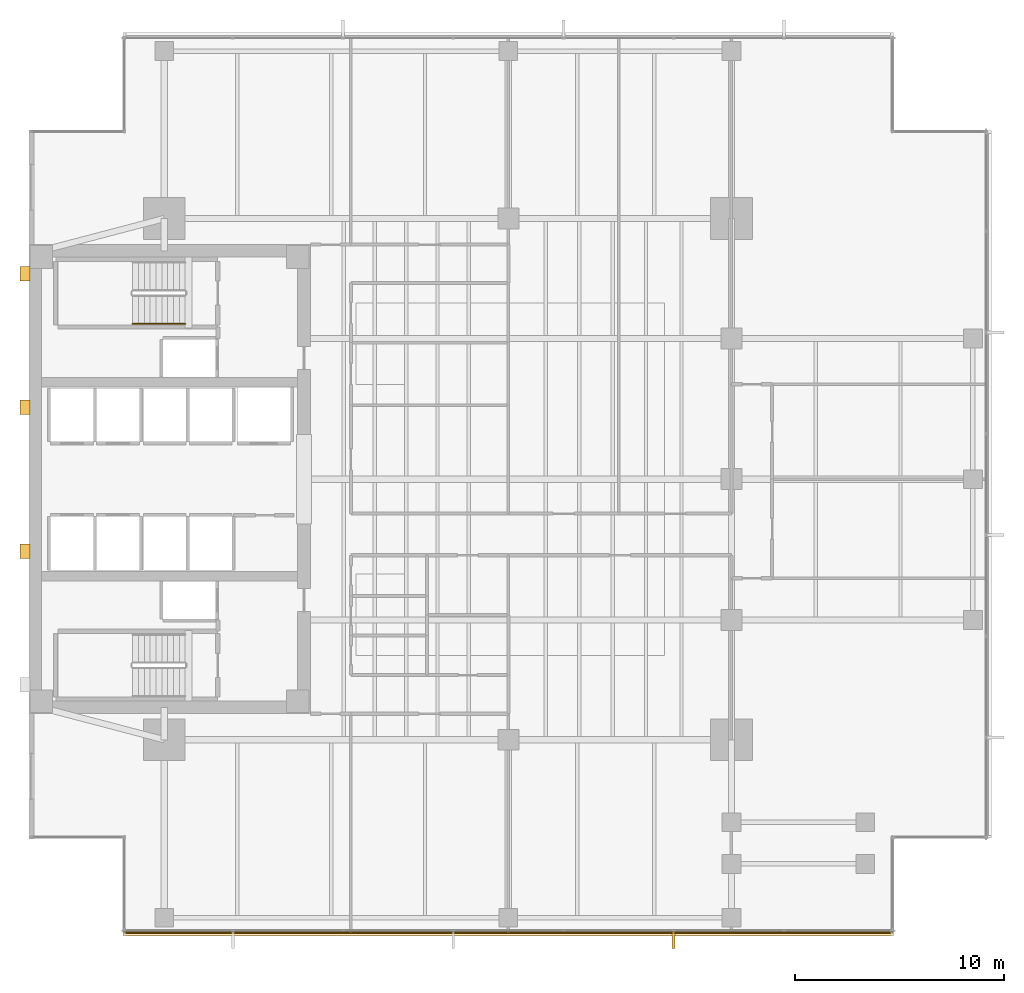
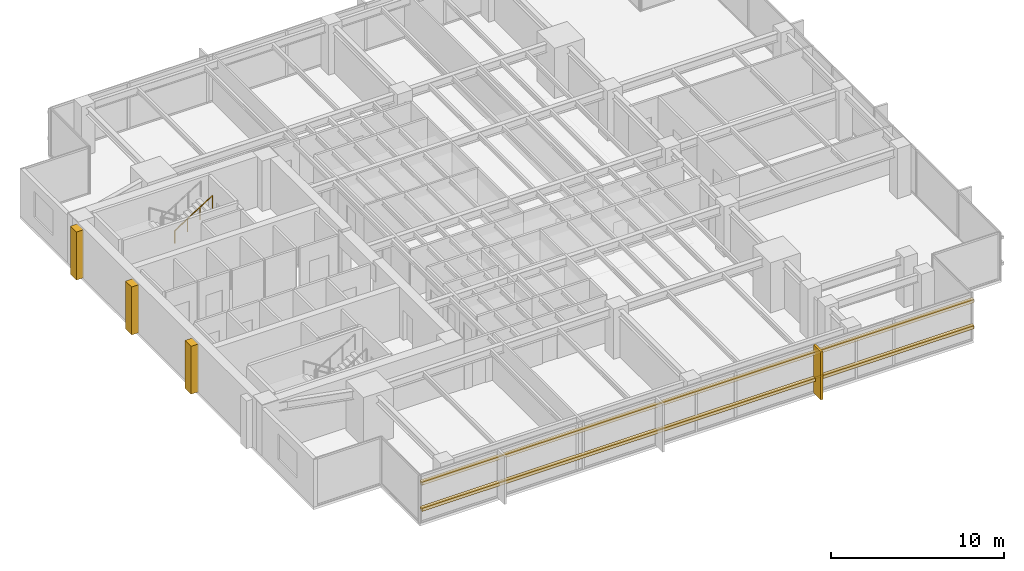
# One storey, part 13 of 15: 6 coverings, 2 shading devices, 1 railing.
"""IFC4 building model written with IfcOpenShell, lengths in metres."""

from ifc_helpers import new_model, si_unit, direction, frame, origin, origin_2d, place, context, subcontext, project, spatial, polyline, rectangle, circle, outline, extrude, material, layer, layer_set, material_profile, profile_set, type_object, element, save


model = new_model("IFC4")

# Units and contexts
model_context = context("Model", 3, precision=1e-05, world=origin(), true_north=direction((0.0, 1.0)))
body_context = subcontext(model_context, "Body", "Model", "MODEL_VIEW")
ifc_project = project(units=[si_unit("LENGTHUNIT", "METRE"), si_unit("AREAUNIT", "SQUARE_METRE"), si_unit("VOLUMEUNIT", "CUBIC_METRE"), si_unit("PLANEANGLEUNIT", "RADIAN"), si_unit("MASSUNIT", "GRAM", prefix="KILO")], contexts=[model_context])

# Site, building, storey
site_placement = place(None, origin())
site = spatial("IfcSite", under=ifc_project, at=site_placement, CompositionType="ELEMENT")
building_placement = place(site_placement, origin())
building = spatial("IfcBuilding", under=site, at=building_placement, Name="Kinhvarn Gate Tower", CompositionType="ELEMENT")
storey_placement = place(building_placement, frame((0.0, 0.0, 169.699951171875)))
storey = spatial("IfcBuildingStorey", under=building, at=storey_placement, Name="L45", CompositionType="ELEMENT", Elevation=169.699951171875)

# Coverings
ifc_material_1 = material(Name="Fired architectural terracotta", Category="masonry")
ifc_layer_1 = layer(ifc_material_1, 0.239990234375)
ifc_layer_set_1 = layer_set([ifc_layer_1], Name="Fired architectural terracotta")
covering_type_1 = type_object("IfcCoveringType", Name="COV-BAG-220", PredefinedType="CLADDING", material=ifc_layer_set_1)
covering_1_placement = place(storey_placement, frame((0.0, 0.0, 0.93994140625)))
element("IfcCovering", 1, at=covering_1_placement, inside=storey, type_object=covering_type_1, Name="Terracotta Horizontal Sunscreen Band TBG-220 (L45)", PredefinedType="CLADDING", context=body_context, shape_type="SweptSolid", body=[
    extrude(outline(polyline([(9.0400390625, 3.570068359375), (45.9599609375, 3.570068359375), (45.9599609375, 3.330078125), (9.0400390625, 3.330078125), (9.0400390625, 3.570068359375)])), origin(), (0.0, 0.0, 1.0), 0.22021484375),
])
covering_2_placement = place(storey_placement, frame((0.0, 0.0, 2.7900390625)))
element("IfcCovering", 2, at=covering_2_placement, inside=storey, type_object=covering_type_1, Name="Terracotta Horizontal Sunscreen Band TBG-220 (L45)", PredefinedType="CLADDING", context=body_context, shape_type="SweptSolid", body=[
    extrude(outline(polyline([(9.0400390625, 3.570068359375), (45.9599609375, 3.570068359375), (45.9599609375, 3.330078125), (9.0400390625, 3.330078125), (9.0400390625, 3.570068359375)])), origin(), (0.0, 0.0, 1.0), 0.219970703125),
])
ifc_layer_2 = layer(ifc_material_1, 0.139892578125)
ifc_layer_set_2 = layer_set([ifc_layer_2], Name="Fired architectural terracotta")
covering_type_2 = type_object("IfcCoveringType", Name="COV-FIN-850", PredefinedType="CLADDING", material=ifc_layer_set_2)
covering_3_placement = place(storey_placement, frame((0.0, 0.0, -0.02001953125)))
element("IfcCovering", 3, at=covering_3_placement, inside=storey, type_object=covering_type_2, Name="Vertical Terracotta Expressive Fin TFN-850 (L45)", PredefinedType="CLADDING", context=body_context, shape_type="SweptSolid", body=[
    extrude(outline(polyline([(35.358642578125, 3.580078125), (35.49853515625, 3.580078125), (35.49853515625, 2.72998046875), (35.358642578125, 2.72998046875), (35.358642578125, 3.580078125)])), origin(), (0.0, 0.0, 1.0), 3.39013671875),
])
ifc_material_2 = material(Name="Precast white architectural concrete C40/50", Category="concrete")
ifc_layer_3 = layer(ifc_material_2, 0.47998046875)
ifc_layer_set_3 = layer_set([ifc_layer_3], Name="Precast white architectural concrete C40/50")
covering_type_3 = type_object("IfcCoveringType", Name="COV-RIB-450", PredefinedType="CLADDING", material=ifc_layer_set_3)
covering_4_placement = place(storey_placement, frame((0.0, 0.0, -0.02001953125)))
element("IfcCovering", 4, at=covering_4_placement, inside=storey, type_object=covering_type_3, Name="West Core Sculptural Concrete Relief Rib CRB-450 (L45)", PredefinedType="CLADDING", context=body_context, shape_type="SweptSolid", body=[
    extrude(outline(polyline([(4.080078125, 21.449951171875), (4.56005859375, 21.449951171875), (4.56005859375, 22.14990234375), (4.080078125, 22.14990234375), (4.080078125, 21.449951171875)])), origin(), (0.0, 0.0, 1.0), 3.39013671875),
])
covering_5_placement = place(storey_placement, frame((0.0, 0.0, -0.02001953125)))
element("IfcCovering", 5, at=covering_5_placement, inside=storey, type_object=covering_type_3, Name="West Core Sculptural Concrete Relief Rib CRB-450 (L45)", PredefinedType="CLADDING", context=body_context, shape_type="SweptSolid", body=[
    extrude(outline(polyline([(4.080078125, 28.35009765625), (4.56005859375, 28.35009765625), (4.56005859375, 29.050048828125), (4.080078125, 29.050048828125), (4.080078125, 28.35009765625)])), origin(), (0.0, 0.0, 1.0), 3.39013671875),
])
covering_6_placement = place(storey_placement, frame((0.0, 0.0, -0.02001953125)))
element("IfcCovering", 6, at=covering_6_placement, inside=storey, type_object=covering_type_3, Name="West Core Sculptural Concrete Relief Rib CRB-450 (L45)", PredefinedType="CLADDING", context=body_context, shape_type="SweptSolid", body=[
    extrude(outline(polyline([(4.080078125, 34.75), (4.56005859375, 34.75), (4.56005859375, 35.449951171875), (4.080078125, 35.449951171875), (4.080078125, 34.75)])), origin(), (0.0, 0.0, 1.0), 3.39013671875),
])

# Railing
ifc_material_3 = material(Name="Steel S355", Category="steel")
railing_type = type_object("IfcRailingType", Name="RL-ST-HND", PredefinedType="HANDRAIL", material=ifc_material_3)
railing_placement = place(storey_placement, frame((9.47998046875, 32.699951171875, 1.95263671875)))
element("IfcRailing", 7, at=railing_placement, inside=storey, type_object=railing_type, Name="L45 ST2 stair handrail 2", PredefinedType="HANDRAIL", context=body_context, shape_type="SweptSolid", body=[
    extrude(circle(Radius=0.02392578125, at=origin_2d()), frame((0.0, 0.0, 0.8759765625), z_axis=(0.84460694969, 0.0, 0.535386869969), x_axis=(0.0, 1.0, 0.0)), (0.0, 0.0, 1.0), 2.983642578125),
    extrude(circle(Radius=0.02099609375, at=origin_2d()), origin(), (0.0, 0.0, 1.0), 0.851806640625),
    extrude(circle(Radius=0.02099609375, at=origin_2d()), frame((0.840087890625, 0.0, 0.532470703125)), (0.0, 0.0, 1.0), 0.851806640625),
    extrude(circle(Radius=0.02099609375, at=origin_2d()), frame((1.679931640625, 0.0, 1.06494140625)), (0.0, 0.0, 1.0), 0.851806640625),
    extrude(circle(Radius=0.02099609375, at=origin_2d()), frame((2.52001953125, 0.0, 1.597412109375)), (0.0, 0.0, 1.0), 0.851806640625),
])

# Shading devices
ifc_material_profile = material_profile(ifc_material_1, rectangle(XDim=0.050048828125, YDim=0.1201171875, at=origin_2d()), Name="TC 50x120")
ifc_profile_set = profile_set([ifc_material_profile], Name="Fired architectural terracotta")
shading_device_type = type_object("IfcShadingDeviceType", Name="SHD-BAG-140", PredefinedType="USERDEFINED", material=ifc_profile_set)
for number, where, z_axis, x_axis, name in (
    (8, (9.0400390625, 3.5, 1.050048828125), (1.0, 0.0, 0.0), (0.0, 1.0, 0.0), "Upper Tower Terracotta Baguette Screen Rod 50x120 mm (L45)"),
    (9, (9.0400390625, 3.5, 2.900146484375), (1.0, 0.0, 0.0), (0.0, 1.0, 0.0), "Upper Tower Terracotta Baguette Screen Rod 50x120 mm (L45)"),
):
    element("IfcShadingDevice", number, at=place(storey_placement, frame(where, z_axis=z_axis, x_axis=x_axis)), inside=storey, type_object=shading_device_type, Name=name, ObjectType="BAGUETTE", PredefinedType="USERDEFINED", context=body_context, shape_type="SweptSolid", body=[
        extrude(rectangle(XDim=0.050048828125, YDim=0.1201171875, at=origin_2d()), origin(), (0.0, 0.0, 1.0), 36.919921875),
    ])

save(model, "model.ifc")
